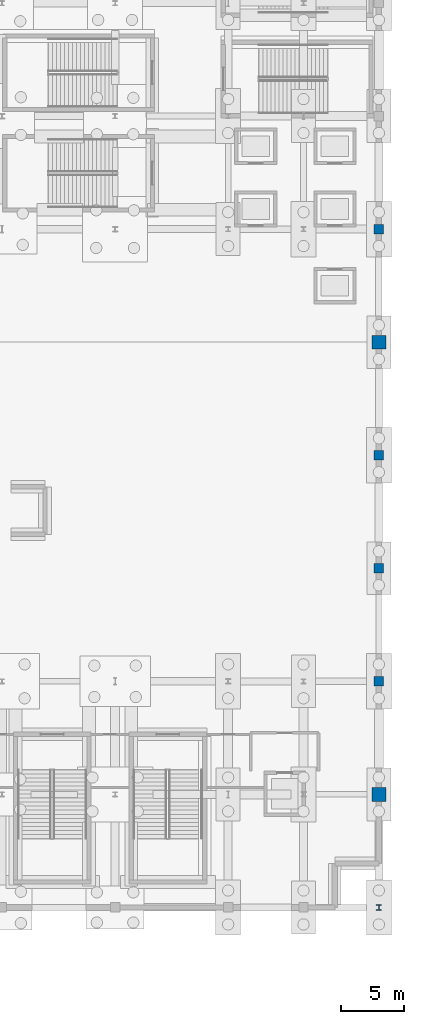
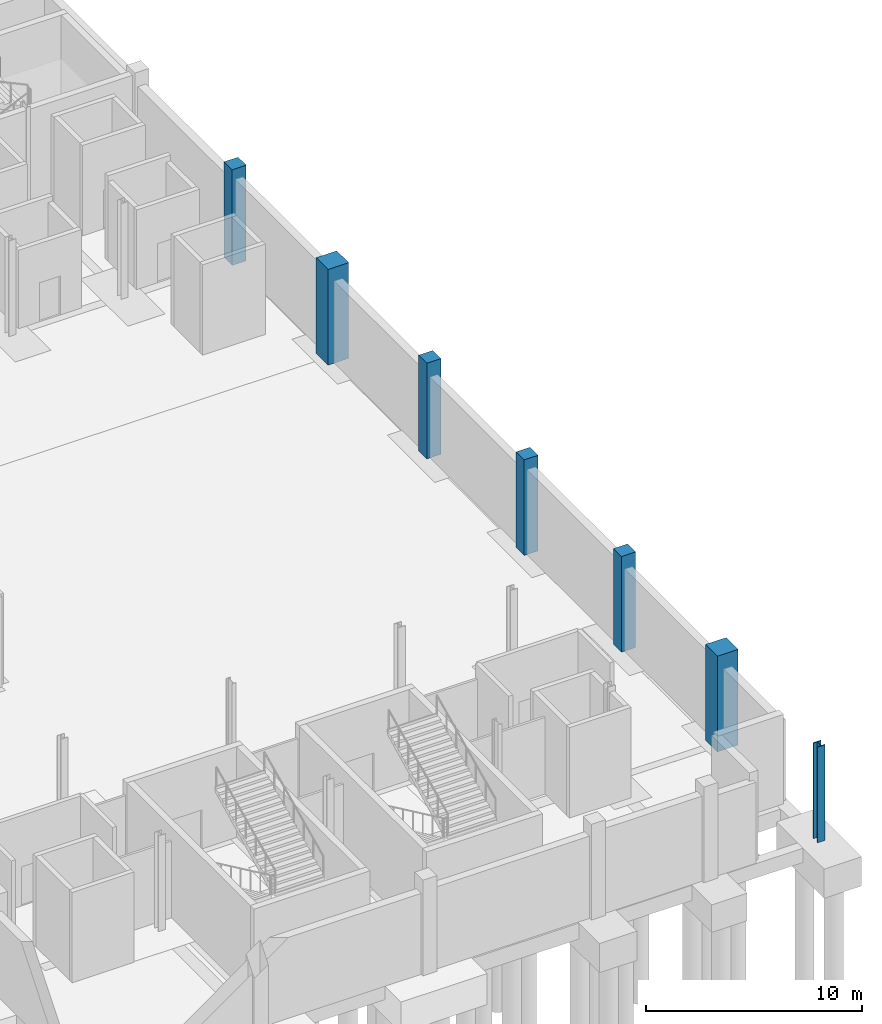
# One storey, part 30 of 58: 7 columns.
"""IFC4 building model written with IfcOpenShell, lengths in metres."""

from ifc_helpers import new_model, si_unit, direction, frame, origin, origin_2d, place, context, subcontext, project, spatial, rectangle, i_section, extrude, material, material_profile, profile_set, type_object, element, save


model = new_model("IFC4")

# Units and contexts
model_context = context("Model", 3, precision=1e-05, world=origin(), true_north=direction((0.0, 1.0)))
body_context = subcontext(model_context, "Body", "Model", "MODEL_VIEW")
ifc_project = project(units=[si_unit("LENGTHUNIT", "METRE"), si_unit("AREAUNIT", "SQUARE_METRE"), si_unit("VOLUMEUNIT", "CUBIC_METRE"), si_unit("PLANEANGLEUNIT", "RADIAN"), si_unit("MASSUNIT", "GRAM", prefix="KILO")], contexts=[model_context])

# Site, building, storey
site_placement = place(None, origin())
site = spatial("IfcSite", under=ifc_project, at=site_placement, CompositionType="ELEMENT")
building_placement = place(site_placement, origin())
building = spatial("IfcBuilding", under=site, at=building_placement, Name="Qamarlyn Nura Convention Centre", CompositionType="ELEMENT")
storey_placement = place(building_placement, frame((0.0, 0.0, -5.39990234375)))
storey = spatial("IfcBuildingStorey", under=building, at=storey_placement, Name="B01", CompositionType="ELEMENT", Elevation=-5.39990234375)

# Columns
ifc_material_1 = material(Name="Steel ASTM A992", Category="steel")
ifc_material_profile_1 = material_profile(ifc_material_1, i_section(OverallWidth=0.408935546875, OverallDepth=0.425048828125, WebThickness=0.030517578125, FlangeThickness=0.049072265625, FilletRadius=0.02001953125, at=origin_2d()), Name="W360X421")
ifc_profile_set_1 = profile_set([ifc_material_profile_1], Name="Steel ASTM A992")
column_type_1 = type_object("IfcColumnType", Name="COL-MEGA-1", PredefinedType="COLUMN", material=ifc_profile_set_1)
column_placement = place(storey_placement, frame((192.0, 0.0, 0.0), z_axis=(0.0, 0.0, 1.0), x_axis=(1.0, 0.0, 0.0)))
element("IfcColumn", 1, at=column_placement, inside=storey, type_object=column_type_1, Name="B01 column 18/A", PredefinedType="COLUMN", context=body_context, shape_type="SweptSolid", body=[
    extrude(i_section(OverallWidth=0.408935546875, OverallDepth=0.425048828125, WebThickness=0.030517578125, FlangeThickness=0.049072265625, FilletRadius=0.02001953125, at=origin_2d()), origin(), (0.0, 0.0, 1.0), 5.39990234375),
])
ifc_material_2 = material(Name="Concrete C50/60", Category="concrete")
ifc_material_profile_2 = material_profile(ifc_material_2, rectangle(XDim=1.10009765625, YDim=1.10009765625, at=origin_2d()), Name="RC 1100x1100")
ifc_profile_set_2 = profile_set([ifc_material_profile_2], Name="Concrete C50/60")
column_type_2 = type_object("IfcColumnType", Name="COL-MEGA-2", PredefinedType="COLUMN", material=ifc_profile_set_2)
for number, where, z_axis, x_axis, name in (
    (2, (192.0, 9.0, 0.0), (0.0, 0.0, 1.0), (1.0, 0.0, 0.0), "B01 column 18/B"),
    (3, (192.0, 45.0, 0.0), (0.0, 0.0, 1.0), (1.0, 0.0, 0.0), "B01 column 18/F"),
):
    element("IfcColumn", number, at=place(storey_placement, frame(where, z_axis=z_axis, x_axis=x_axis)), inside=storey, type_object=column_type_2, Name=name, PredefinedType="COLUMN", context=body_context, shape_type="SweptSolid", body=[
        extrude(rectangle(XDim=1.10009765625, YDim=1.10009765625, at=origin_2d()), origin(), (0.0, 0.0, 1.0), 5.39990234375),
    ])
ifc_material_profile_3 = material_profile(ifc_material_2, rectangle(XDim=0.75, YDim=0.75, at=origin_2d()), Name="RC 750x750")
ifc_profile_set_3 = profile_set([ifc_material_profile_3], Name="Concrete C50/60")
column_type_3 = type_object("IfcColumnType", Name="COL-SUB-2", PredefinedType="COLUMN", material=ifc_profile_set_3)
for number, where, z_axis, x_axis, name in (
    (4, (192.0, 18.0, 0.0), (0.0, 0.0, 1.0), (1.0, 0.0, 0.0), "B01 column 18/C"),
    (5, (192.0, 27.0, 0.0), (0.0, 0.0, 1.0), (1.0, 0.0, 0.0), "B01 column 18/D"),
    (6, (192.0, 36.0, 0.0), (0.0, 0.0, 1.0), (1.0, 0.0, 0.0), "B01 column 18/E"),
    (7, (192.0, 54.0, 0.0), (0.0, 0.0, 1.0), (1.0, 0.0, 0.0), "B01 column 18/G"),
):
    element("IfcColumn", number, at=place(storey_placement, frame(where, z_axis=z_axis, x_axis=x_axis)), inside=storey, type_object=column_type_3, Name=name, PredefinedType="COLUMN", context=body_context, shape_type="SweptSolid", body=[
        extrude(rectangle(XDim=0.75, YDim=0.75, at=origin_2d()), origin(), (0.0, 0.0, 1.0), 5.39990234375),
    ])

save(model, "model.ifc")
